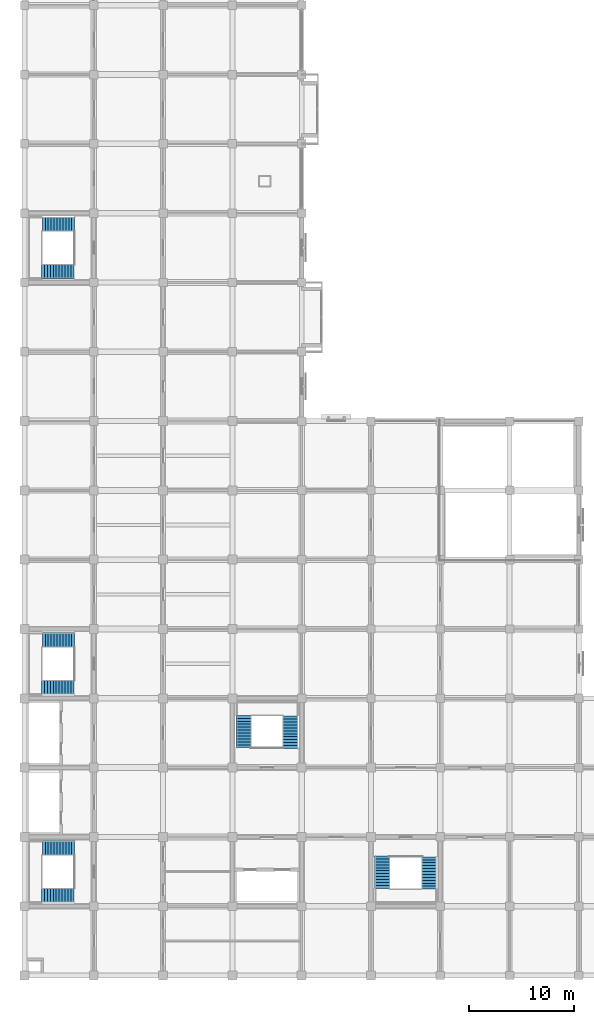
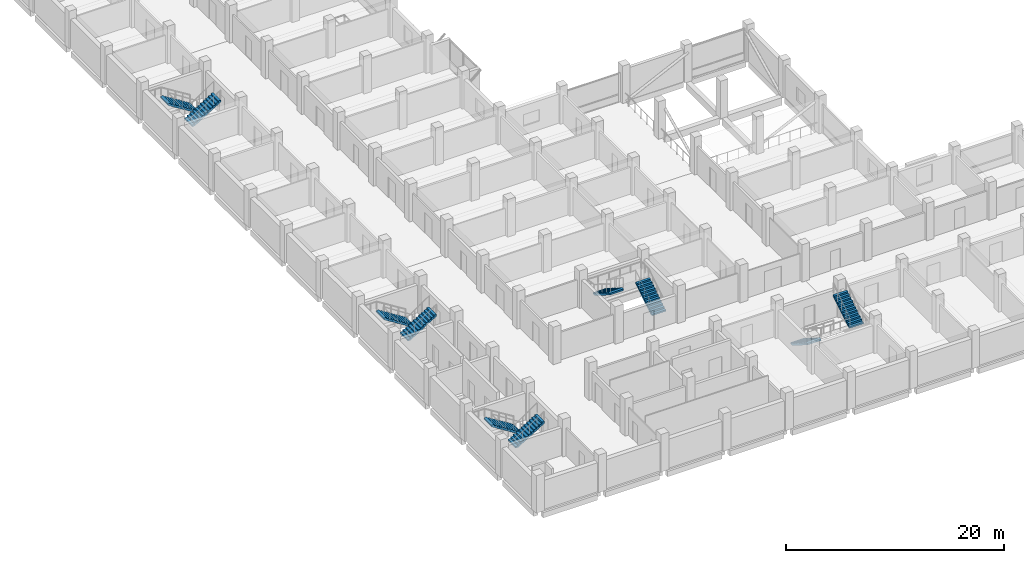
# One storey, part 24 of 30: 10 stair flights, 5 elements without a shape of their own.
"""IFC4 building model written with IfcOpenShell, lengths in metres."""

from ifc_helpers import new_model, si_unit, direction, frame, origin, place, context, subcontext, project, spatial, polyline, outline, extrude, material, type_object, element, aggregate, save


model = new_model("IFC4")

# Units and contexts
model_context = context("Model", 3, precision=1e-05, world=origin(), true_north=direction((0.0, 1.0)))
body_context = subcontext(model_context, "Body", "Model", "MODEL_VIEW")
ifc_project = project(units=[si_unit("LENGTHUNIT", "METRE"), si_unit("AREAUNIT", "SQUARE_METRE"), si_unit("VOLUMEUNIT", "CUBIC_METRE"), si_unit("PLANEANGLEUNIT", "RADIAN"), si_unit("MASSUNIT", "GRAM", prefix="KILO")], contexts=[model_context])

# Site, building, storey
site_placement = place(None, origin())
site = spatial("IfcSite", under=ifc_project, at=site_placement, CompositionType="ELEMENT")
building_placement = place(site_placement, origin())
building = spatial("IfcBuilding", under=site, at=building_placement, Name="Rusizi Kubbe Research Institute", CompositionType="ELEMENT")
storey_placement = place(building_placement, frame((0.0, 0.0, 10.199951171875)))
storey = spatial("IfcBuildingStorey", under=building, at=storey_placement, Name="L02", CompositionType="ELEMENT", Elevation=10.199951171875)

# Stair, stair flights
ifc_material_1 = material(Name="Concrete C40/50", Category="concrete")
stair_type_1 = type_object("IfcStairType", Name="ST-H420A", PredefinedType="HALF_TURN_STAIR", material=ifc_material_1)
stair_1_placement = place(storey_placement, origin())
stair_1 = element("IfcStair", 1, at=stair_1_placement, inside=storey, type_object=stair_type_1, Name="Protected Exit Stair ST1 (L02)", PredefinedType="HALF_TURN_STAIR")
ifc_material_2 = material(Name="Concrete C40/50", Category="concrete")
stair_flight_type_1 = type_object("IfcStairFlightType", Name="FL-H420A", PredefinedType="STRAIGHT", material=ifc_material_2)
stair_flight_1_placement = place(storey_placement, frame((4.780029296875, 12.14990234375, 0.0), z_axis=(0.0, 0.0, 1.0), x_axis=(-1.0, 0.0, 0.0)))
stair_flight_1 = element("IfcStairFlight", 2, at=stair_flight_1_placement, type_object=stair_flight_type_1, Name="ST1 flight 1", NumberOfRisers=12, NumberOfTreads=11, PredefinedType="STRAIGHT", RiserHeight=0.175, TreadLength=0.28, context=body_context, shape_type="SweptSolid", body=[
    extrude(outline(polyline([(0.0, 0.0), (0.0, 0.175048828125), (0.280029296875, 0.175048828125), (0.280029296875, 0.35009765625), (0.56005859375, 0.35009765625), (0.56005859375, 0.52490234375), (0.840087890625, 0.52490234375), (0.840087890625, 0.699951171875), (1.1201171875, 0.699951171875), (1.1201171875, 0.875), (1.39990234375, 0.875), (1.39990234375, 1.050048828125), (1.679931640625, 1.050048828125), (1.679931640625, 1.22509765625), (1.9599609375, 1.22509765625), (1.9599609375, 1.39990234375), (2.239990234375, 1.39990234375), (2.239990234375, 1.574951171875), (2.52001953125, 1.574951171875), (2.52001953125, 1.75), (2.800048828125, 1.75), (2.800048828125, 1.925048828125), (3.080078125, 1.925048828125), (3.080078125, 2.10009765625), (3.080078125, 1.736328125), (0.3017578125, 0.0), (0.0, 0.0)])), frame((0.0, 0.699951171875, 0.0), z_axis=(0.0, -1.0, 0.0), x_axis=(1.0, 0.0, 0.0)), (0.0, 0.0, 1.0), 1.39990234375),
])
stair_flight_2_placement = place(storey_placement, frame((1.6259765625, 7.64990234375, 2.10009765625), z_axis=(0.0, 0.0, 1.0), x_axis=(1.0, 0.0, 0.0)))
stair_flight_2 = element("IfcStairFlight", 3, at=stair_flight_2_placement, type_object=stair_flight_type_1, Name="ST1 flight 2", NumberOfRisers=12, NumberOfTreads=11, PredefinedType="STRAIGHT", RiserHeight=0.175, TreadLength=0.28, context=body_context, shape_type="SweptSolid", body=[
    extrude(outline(polyline([(0.0, 0.0), (0.0, 0.175048828125), (0.280029296875, 0.175048828125), (0.280029296875, 0.35009765625), (0.56005859375, 0.35009765625), (0.56005859375, 0.52490234375), (0.840087890625, 0.52490234375), (0.840087890625, 0.699951171875), (1.1201171875, 0.699951171875), (1.1201171875, 0.875), (1.39990234375, 0.875), (1.39990234375, 1.050048828125), (1.679931640625, 1.050048828125), (1.679931640625, 1.22509765625), (1.9599609375, 1.22509765625), (1.9599609375, 1.39990234375), (2.239990234375, 1.39990234375), (2.239990234375, 1.574951171875), (2.52001953125, 1.574951171875), (2.52001953125, 1.75), (2.800048828125, 1.75), (2.800048828125, 1.925048828125), (3.080078125, 1.925048828125), (3.080078125, 2.10009765625), (3.080078125, 1.736328125), (0.3017578125, 0.0), (0.0, 0.0)])), frame((0.0, 0.699951171875, 0.0), z_axis=(0.0, -1.0, 0.0), x_axis=(1.0, 0.0, 0.0)), (0.0, 0.0, 1.0), 1.39990234375),
])
aggregate(stair_1, [stair_flight_1, stair_flight_2])

stair_2_placement = place(storey_placement, origin())
stair_2 = element("IfcStair", 4, at=stair_2_placement, inside=storey, type_object=stair_type_1, Name="Protected Exit Stair ST2 (L02)", PredefinedType="HALF_TURN_STAIR")
stair_flight_3_placement = place(storey_placement, frame((4.780029296875, 31.949951171875, 0.0), z_axis=(0.0, 0.0, 1.0), x_axis=(-1.0, 0.0, 0.0)))
stair_flight_3 = element("IfcStairFlight", 5, at=stair_flight_3_placement, type_object=stair_flight_type_1, Name="ST2 flight 1", NumberOfRisers=12, NumberOfTreads=11, PredefinedType="STRAIGHT", RiserHeight=0.175, TreadLength=0.28, context=body_context, shape_type="SweptSolid", body=[
    extrude(outline(polyline([(0.0, 0.0), (0.0, 0.175048828125), (0.280029296875, 0.175048828125), (0.280029296875, 0.35009765625), (0.56005859375, 0.35009765625), (0.56005859375, 0.52490234375), (0.840087890625, 0.52490234375), (0.840087890625, 0.699951171875), (1.1201171875, 0.699951171875), (1.1201171875, 0.875), (1.39990234375, 0.875), (1.39990234375, 1.050048828125), (1.679931640625, 1.050048828125), (1.679931640625, 1.22509765625), (1.9599609375, 1.22509765625), (1.9599609375, 1.39990234375), (2.239990234375, 1.39990234375), (2.239990234375, 1.574951171875), (2.52001953125, 1.574951171875), (2.52001953125, 1.75), (2.800048828125, 1.75), (2.800048828125, 1.925048828125), (3.080078125, 1.925048828125), (3.080078125, 2.10009765625), (3.080078125, 1.736328125), (0.3017578125, 0.0), (0.0, 0.0)])), frame((0.0, 0.699951171875, 0.0), z_axis=(0.0, -1.0, 0.0), x_axis=(1.0, 0.0, 0.0)), (0.0, 0.0, 1.0), 1.39990234375),
])
stair_flight_4_placement = place(storey_placement, frame((1.6259765625, 27.449951171875, 2.10009765625), z_axis=(0.0, 0.0, 1.0), x_axis=(1.0, 0.0, 0.0)))
stair_flight_4 = element("IfcStairFlight", 6, at=stair_flight_4_placement, type_object=stair_flight_type_1, Name="ST2 flight 2", NumberOfRisers=12, NumberOfTreads=11, PredefinedType="STRAIGHT", RiserHeight=0.175, TreadLength=0.28, context=body_context, shape_type="SweptSolid", body=[
    extrude(outline(polyline([(0.0, 0.0), (0.0, 0.175048828125), (0.280029296875, 0.175048828125), (0.280029296875, 0.35009765625), (0.56005859375, 0.35009765625), (0.56005859375, 0.52490234375), (0.840087890625, 0.52490234375), (0.840087890625, 0.699951171875), (1.1201171875, 0.699951171875), (1.1201171875, 0.875), (1.39990234375, 0.875), (1.39990234375, 1.050048828125), (1.679931640625, 1.050048828125), (1.679931640625, 1.22509765625), (1.9599609375, 1.22509765625), (1.9599609375, 1.39990234375), (2.239990234375, 1.39990234375), (2.239990234375, 1.574951171875), (2.52001953125, 1.574951171875), (2.52001953125, 1.75), (2.800048828125, 1.75), (2.800048828125, 1.925048828125), (3.080078125, 1.925048828125), (3.080078125, 2.10009765625), (3.080078125, 1.736328125), (0.3017578125, 0.0), (0.0, 0.0)])), frame((0.0, 0.699951171875, 0.0), z_axis=(0.0, -1.0, 0.0), x_axis=(1.0, 0.0, 0.0)), (0.0, 0.0, 1.0), 1.39990234375),
])
aggregate(stair_2, [stair_flight_3, stair_flight_4])

stair_3_placement = place(storey_placement, origin())
stair_3 = element("IfcStair", 7, at=stair_3_placement, inside=storey, type_object=stair_type_1, Name="Protected Exit Stair ST5 (L02)", PredefinedType="HALF_TURN_STAIR")
stair_flight_5_placement = place(storey_placement, frame((4.780029296875, 71.550048828125, 0.0), z_axis=(0.0, 0.0, 1.0), x_axis=(-1.0, 0.0, 0.0)))
stair_flight_5 = element("IfcStairFlight", 8, at=stair_flight_5_placement, type_object=stair_flight_type_1, Name="ST5 flight 1", NumberOfRisers=12, NumberOfTreads=11, PredefinedType="STRAIGHT", RiserHeight=0.175, TreadLength=0.28, context=body_context, shape_type="SweptSolid", body=[
    extrude(outline(polyline([(0.0, 0.0), (0.0, 0.175048828125), (0.280029296875, 0.175048828125), (0.280029296875, 0.35009765625), (0.56005859375, 0.35009765625), (0.56005859375, 0.52490234375), (0.840087890625, 0.52490234375), (0.840087890625, 0.699951171875), (1.1201171875, 0.699951171875), (1.1201171875, 0.875), (1.39990234375, 0.875), (1.39990234375, 1.050048828125), (1.679931640625, 1.050048828125), (1.679931640625, 1.22509765625), (1.9599609375, 1.22509765625), (1.9599609375, 1.39990234375), (2.239990234375, 1.39990234375), (2.239990234375, 1.574951171875), (2.52001953125, 1.574951171875), (2.52001953125, 1.75), (2.800048828125, 1.75), (2.800048828125, 1.925048828125), (3.080078125, 1.925048828125), (3.080078125, 2.10009765625), (3.080078125, 1.736328125), (0.3017578125, 0.0), (0.0, 0.0)])), frame((0.0, 0.699951171875, 0.0), z_axis=(0.0, -1.0, 0.0), x_axis=(1.0, 0.0, 0.0)), (0.0, 0.0, 1.0), 1.39990234375),
])
stair_flight_6_placement = place(storey_placement, frame((1.6259765625, 67.050048828125, 2.10009765625), z_axis=(0.0, 0.0, 1.0), x_axis=(1.0, 0.0, 0.0)))
stair_flight_6 = element("IfcStairFlight", 9, at=stair_flight_6_placement, type_object=stair_flight_type_1, Name="ST5 flight 2", NumberOfRisers=12, NumberOfTreads=11, PredefinedType="STRAIGHT", RiserHeight=0.175, TreadLength=0.28, context=body_context, shape_type="SweptSolid", body=[
    extrude(outline(polyline([(0.0, 0.0), (0.0, 0.175048828125), (0.280029296875, 0.175048828125), (0.280029296875, 0.35009765625), (0.56005859375, 0.35009765625), (0.56005859375, 0.52490234375), (0.840087890625, 0.52490234375), (0.840087890625, 0.699951171875), (1.1201171875, 0.699951171875), (1.1201171875, 0.875), (1.39990234375, 0.875), (1.39990234375, 1.050048828125), (1.679931640625, 1.050048828125), (1.679931640625, 1.22509765625), (1.9599609375, 1.22509765625), (1.9599609375, 1.39990234375), (2.239990234375, 1.39990234375), (2.239990234375, 1.574951171875), (2.52001953125, 1.574951171875), (2.52001953125, 1.75), (2.800048828125, 1.75), (2.800048828125, 1.925048828125), (3.080078125, 1.925048828125), (3.080078125, 2.10009765625), (3.080078125, 1.736328125), (0.3017578125, 0.0), (0.0, 0.0)])), frame((0.0, 0.699951171875, 0.0), z_axis=(0.0, -1.0, 0.0), x_axis=(1.0, 0.0, 0.0)), (0.0, 0.0, 1.0), 1.39990234375),
])
aggregate(stair_3, [stair_flight_5, stair_flight_6])

ifc_material_3 = material(Name="Concrete C40/50", Category="concrete")
stair_type_2 = type_object("IfcStairType", Name="ST-H420B", PredefinedType="HALF_TURN_STAIR", material=ifc_material_3)
stair_4_placement = place(storey_placement, origin())
stair_4 = element("IfcStair", 10, at=stair_4_placement, inside=storey, type_object=stair_type_2, Name="Protected Exit Stair ST3 (L02)", PredefinedType="HALF_TURN_STAIR")
ifc_material_4 = material(Name="Concrete C40/50", Category="concrete")
stair_flight_type_2 = type_object("IfcStairFlightType", Name="FL-H420B", PredefinedType="STRAIGHT", material=ifc_material_4)
stair_flight_7_placement = place(storey_placement, frame((25.324951171875, 21.6201171875, 0.0), z_axis=(0.0, 0.0, 1.0), x_axis=(0.0, 1.0, 0.0)))
stair_flight_7 = element("IfcStairFlight", 11, at=stair_flight_7_placement, type_object=stair_flight_type_2, Name="ST3 flight 1", NumberOfRisers=12, NumberOfTreads=11, PredefinedType="STRAIGHT", RiserHeight=0.175, TreadLength=0.28, context=body_context, shape_type="SweptSolid", body=[
    extrude(outline(polyline([(0.0, 0.0), (0.0, 0.175048828125), (0.280029296875, 0.175048828125), (0.280029296875, 0.35009765625), (0.56005859375, 0.35009765625), (0.56005859375, 0.52490234375), (0.840087890625, 0.52490234375), (0.840087890625, 0.699951171875), (1.1201171875, 0.699951171875), (1.1201171875, 0.875), (1.39990234375, 0.875), (1.39990234375, 1.050048828125), (1.679931640625, 1.050048828125), (1.679931640625, 1.22509765625), (1.9599609375, 1.22509765625), (1.9599609375, 1.39990234375), (2.239990234375, 1.39990234375), (2.239990234375, 1.574951171875), (2.52001953125, 1.574951171875), (2.52001953125, 1.75), (2.800048828125, 1.75), (2.800048828125, 1.925048828125), (3.080078125, 1.925048828125), (3.080078125, 2.10009765625), (3.080078125, 1.736328125), (0.3017578125, 0.0), (0.0, 0.0)])), frame((0.0, 0.72509765625, 0.0), z_axis=(0.0, -1.0, 0.0), x_axis=(1.0, 0.0, 0.0)), (0.0, 0.0, 1.0), 1.449951171875),
])
stair_flight_8_placement = place(storey_placement, frame((20.875, 24.77392578125, 2.10009765625), z_axis=(0.0, 0.0, 1.0), x_axis=(0.0, -1.0, 0.0)))
stair_flight_8 = element("IfcStairFlight", 12, at=stair_flight_8_placement, type_object=stair_flight_type_2, Name="ST3 flight 2", NumberOfRisers=12, NumberOfTreads=11, PredefinedType="STRAIGHT", RiserHeight=0.175, TreadLength=0.28, context=body_context, shape_type="SweptSolid", body=[
    extrude(outline(polyline([(0.0, 0.0), (0.0, 0.175048828125), (0.280029296875, 0.175048828125), (0.280029296875, 0.35009765625), (0.56005859375, 0.35009765625), (0.56005859375, 0.52490234375), (0.840087890625, 0.52490234375), (0.840087890625, 0.699951171875), (1.1201171875, 0.699951171875), (1.1201171875, 0.875), (1.39990234375, 0.875), (1.39990234375, 1.050048828125), (1.679931640625, 1.050048828125), (1.679931640625, 1.22509765625), (1.9599609375, 1.22509765625), (1.9599609375, 1.39990234375), (2.239990234375, 1.39990234375), (2.239990234375, 1.574951171875), (2.52001953125, 1.574951171875), (2.52001953125, 1.75), (2.800048828125, 1.75), (2.800048828125, 1.925048828125), (3.080078125, 1.925048828125), (3.080078125, 2.10009765625), (3.080078125, 1.736328125), (0.3017578125, 0.0), (0.0, 0.0)])), frame((0.0, 0.72509765625, 0.0), z_axis=(0.0, -1.0, 0.0), x_axis=(1.0, 0.0, 0.0)), (0.0, 0.0, 1.0), 1.449951171875),
])
aggregate(stair_4, [stair_flight_7, stair_flight_8])

stair_5_placement = place(storey_placement, origin())
stair_5 = element("IfcStair", 13, at=stair_5_placement, inside=storey, type_object=stair_type_2, Name="Protected Exit Stair ST4 (L02)", PredefinedType="HALF_TURN_STAIR")
stair_flight_9_placement = place(storey_placement, frame((34.074951171875, 11.3798828125, 0.0), z_axis=(0.0, 0.0, 1.0), x_axis=(0.0, -1.0, 0.0)))
stair_flight_9 = element("IfcStairFlight", 14, at=stair_flight_9_placement, type_object=stair_flight_type_2, Name="ST4 flight 1", NumberOfRisers=12, NumberOfTreads=11, PredefinedType="STRAIGHT", RiserHeight=0.175, TreadLength=0.28, context=body_context, shape_type="SweptSolid", body=[
    extrude(outline(polyline([(0.0, 0.0), (0.0, 0.175048828125), (0.280029296875, 0.175048828125), (0.280029296875, 0.35009765625), (0.56005859375, 0.35009765625), (0.56005859375, 0.52490234375), (0.840087890625, 0.52490234375), (0.840087890625, 0.699951171875), (1.1201171875, 0.699951171875), (1.1201171875, 0.875), (1.39990234375, 0.875), (1.39990234375, 1.050048828125), (1.679931640625, 1.050048828125), (1.679931640625, 1.22509765625), (1.9599609375, 1.22509765625), (1.9599609375, 1.39990234375), (2.239990234375, 1.39990234375), (2.239990234375, 1.574951171875), (2.52001953125, 1.574951171875), (2.52001953125, 1.75), (2.800048828125, 1.75), (2.800048828125, 1.925048828125), (3.080078125, 1.925048828125), (3.080078125, 2.10009765625), (3.080078125, 1.736328125), (0.3017578125, 0.0), (0.0, 0.0)])), frame((0.0, 0.72509765625, 0.0), z_axis=(0.0, -1.0, 0.0), x_axis=(1.0, 0.0, 0.0)), (0.0, 0.0, 1.0), 1.449951171875),
])
stair_flight_10_placement = place(storey_placement, frame((38.52490234375, 8.22607421875, 2.10009765625), z_axis=(0.0, 0.0, 1.0), x_axis=(0.0, 1.0, 0.0)))
stair_flight_10 = element("IfcStairFlight", 15, at=stair_flight_10_placement, type_object=stair_flight_type_2, Name="ST4 flight 2", NumberOfRisers=12, NumberOfTreads=11, PredefinedType="STRAIGHT", RiserHeight=0.175, TreadLength=0.28, context=body_context, shape_type="SweptSolid", body=[
    extrude(outline(polyline([(0.0, 0.0), (0.0, 0.175048828125), (0.280029296875, 0.175048828125), (0.280029296875, 0.35009765625), (0.56005859375, 0.35009765625), (0.56005859375, 0.52490234375), (0.840087890625, 0.52490234375), (0.840087890625, 0.699951171875), (1.1201171875, 0.699951171875), (1.1201171875, 0.875), (1.39990234375, 0.875), (1.39990234375, 1.050048828125), (1.679931640625, 1.050048828125), (1.679931640625, 1.22509765625), (1.9599609375, 1.22509765625), (1.9599609375, 1.39990234375), (2.239990234375, 1.39990234375), (2.239990234375, 1.574951171875), (2.52001953125, 1.574951171875), (2.52001953125, 1.75), (2.800048828125, 1.75), (2.800048828125, 1.925048828125), (3.080078125, 1.925048828125), (3.080078125, 2.10009765625), (3.080078125, 1.736328125), (0.3017578125, 0.0), (0.0, 0.0)])), frame((0.0, 0.72509765625, 0.0), z_axis=(0.0, -1.0, 0.0), x_axis=(1.0, 0.0, 0.0)), (0.0, 0.0, 1.0), 1.449951171875),
])
aggregate(stair_5, [stair_flight_9, stair_flight_10])

save(model, "model.ifc")
